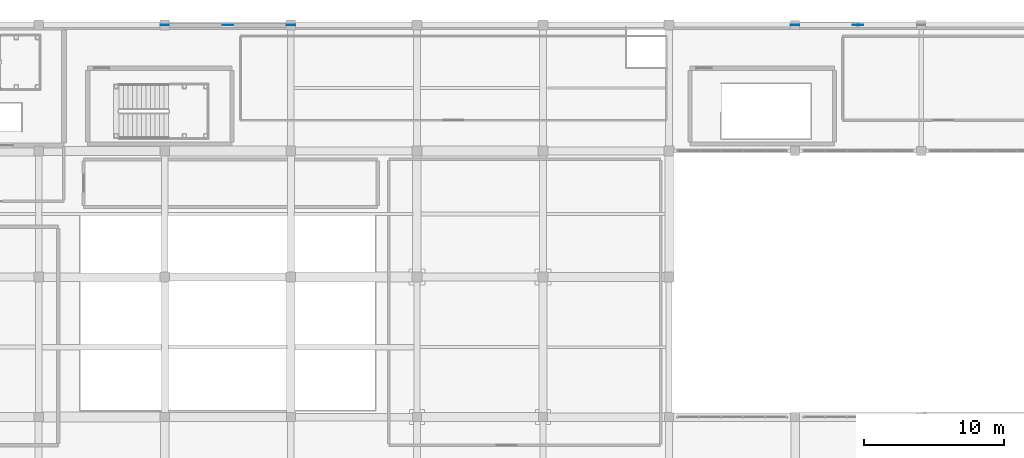
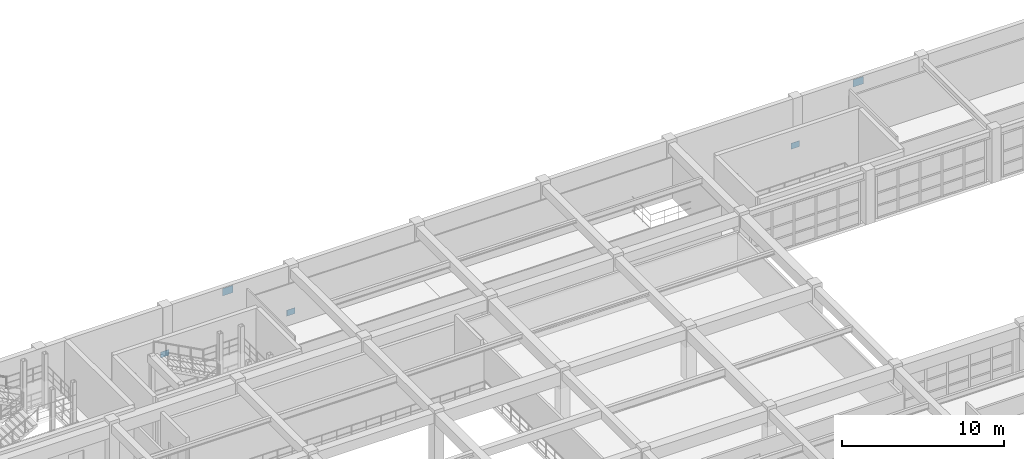
# One storey, part 104 of 130: 5 plates.
"""IFC4 building model written with IfcOpenShell, lengths in metres."""

from ifc_helpers import new_model, si_unit, direction, frame, origin, origin_2d, place, context, subcontext, project, spatial, rectangle, extrude, material, layer, layer_set, type_object, element, save


model = new_model("IFC4")

# Units and contexts
model_context = context("Model", 3, precision=1e-05, world=origin(), true_north=direction((0.0, 1.0)))
body_context = subcontext(model_context, "Body", "Model", "MODEL_VIEW")
ifc_project = project(units=[si_unit("LENGTHUNIT", "METRE"), si_unit("AREAUNIT", "SQUARE_METRE"), si_unit("VOLUMEUNIT", "CUBIC_METRE"), si_unit("PLANEANGLEUNIT", "RADIAN"), si_unit("MASSUNIT", "GRAM", prefix="KILO")], contexts=[model_context])

# Site, building, storey
site_placement = place(None, origin())
site = spatial("IfcSite", under=ifc_project, at=site_placement, CompositionType="ELEMENT")
building_placement = place(site_placement, origin())
building = spatial("IfcBuilding", under=site, at=building_placement, Name="Miravela Opera House", CompositionType="ELEMENT")
storey_placement = place(building_placement, frame((0.0, 0.0, 9.52001953125)))
storey = spatial("IfcBuildingStorey", under=building, at=storey_placement, Name="L02", CompositionType="ELEMENT", Elevation=9.52001953125)

# Plates
ifc_material = material(Name="Structural steel ASTM A572 Gr. 50", Category="steel")
ifc_layer_1 = layer(ifc_material, 0.01806640625)
ifc_layer_set_1 = layer_set([ifc_layer_1])
plate_type_1 = type_object("IfcPlateType", Name="STR-PL-GUS-600X450X18", PredefinedType="USERDEFINED", material=ifc_layer_set_1)
for number, where, z_axis, x_axis, name in (
    (1, (81.0, 112.0, 0.0751953125), (0.0, 0.0, 1.0), (1.0, 0.0, 0.0), "Brace Wall Cast-In Embed Plate 340"),
    (2, (90.0, 112.0, 0.0751953125), (0.0, 0.0, 1.0), (1.0, 0.0, 0.0), "Brace Wall Cast-In Embed Plate 341"),
    (3, (126.0, 112.0, 0.0751953125), (0.0, 0.0, 1.0), (1.0, 0.0, 0.0), "Brace Wall Cast-In Embed Plate 352"),
):
    element("IfcPlate", number, at=place(storey_placement, frame(where, z_axis=z_axis, x_axis=x_axis)), inside=storey, type_object=plate_type_1, Name=name, ObjectType="GUSSET PLATE", PredefinedType="USERDEFINED", context=body_context, shape_type="SweptSolid", body=[
        extrude(rectangle(XDim=0.60009765625, YDim=0.01806640625, at=origin_2d()), origin(), (0.0, 0.0, 1.0), 0.449951171875),
    ])
ifc_layer_2 = layer(ifc_material, 0.02001953125)
ifc_layer_set_2 = layer_set([ifc_layer_2])
plate_type_2 = type_object("IfcPlateType", Name="STR-PL-GUS-750X550X20", PredefinedType="USERDEFINED", material=ifc_layer_set_2)
for number, where, z_axis, x_axis, name in (
    (4, (85.5, 112.0, 3.21484375), (0.0, 0.0, 1.0), (1.0, 0.0, 0.0), "Chevron Brace Apex Gusset Plate 339"),
    (5, (130.5, 112.0, 3.21484375), (0.0, 0.0, 1.0), (1.0, 0.0, 0.0), "Chevron Brace Apex Gusset Plate 351"),
):
    element("IfcPlate", number, at=place(storey_placement, frame(where, z_axis=z_axis, x_axis=x_axis)), inside=storey, type_object=plate_type_2, Name=name, ObjectType="GUSSET PLATE", PredefinedType="USERDEFINED", context=body_context, shape_type="SweptSolid", body=[
        extrude(rectangle(XDim=0.75, YDim=0.02001953125, at=origin_2d()), origin(), (0.0, 0.0, 1.0), 0.550048828125),
    ])

save(model, "model.ifc")
